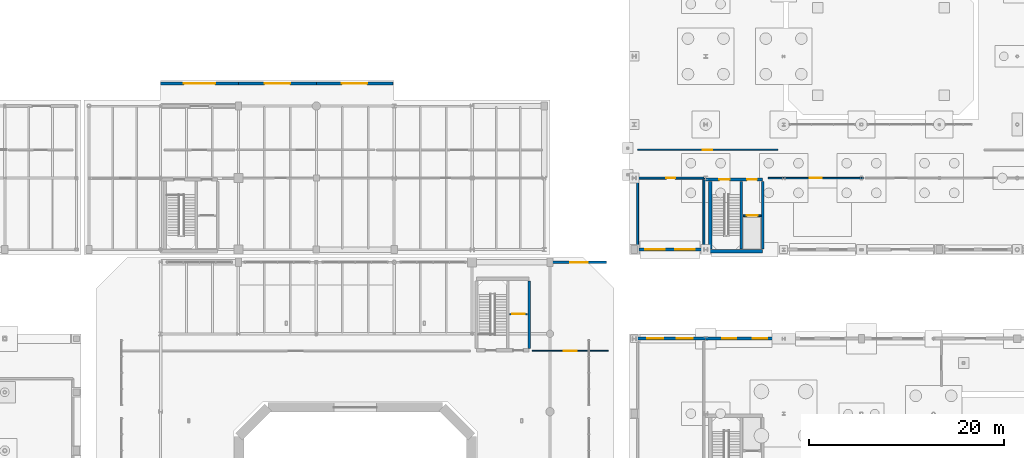
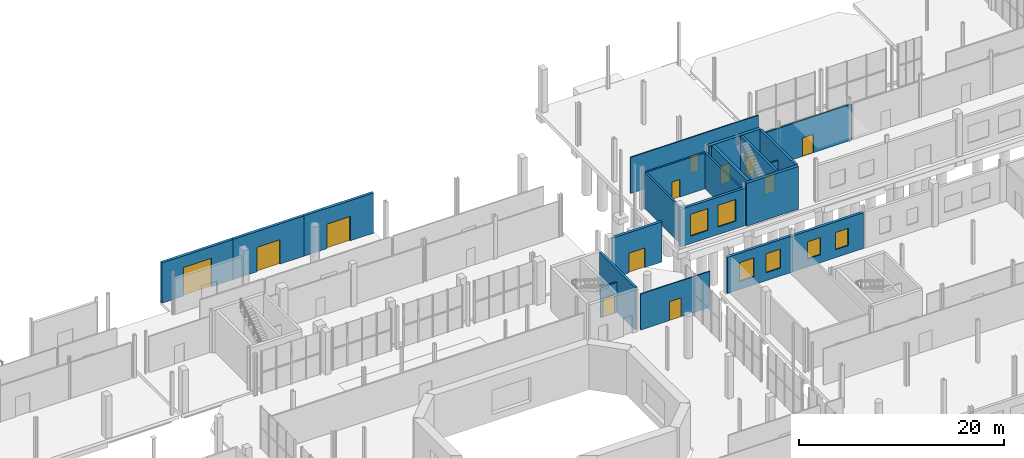
# One storey, part 71 of 87: 21 walls, 12 doors, 6 windows, 18 openings.
"""IFC4 building model written with IfcOpenShell, lengths in metres."""

from ifc_helpers import new_model, si_unit, direction, frame, frame_2d, origin, place, context, subcontext, project, spatial, rectangle, extrude, material, layer, layer_set, type_object, element, fill, save


model = new_model("IFC4")

# Units and contexts
model_context = context("Model", 3, precision=1e-05, world=origin(), true_north=direction((0.0, 1.0)))
body_context = subcontext(model_context, "Body", "Model", "MODEL_VIEW")
ifc_project = project(units=[si_unit("LENGTHUNIT", "METRE"), si_unit("AREAUNIT", "SQUARE_METRE"), si_unit("VOLUMEUNIT", "CUBIC_METRE"), si_unit("PLANEANGLEUNIT", "RADIAN"), si_unit("MASSUNIT", "GRAM", prefix="KILO")], contexts=[model_context])

# Site, building, storey
site_placement = place(None, origin())
site = spatial("IfcSite", under=ifc_project, at=site_placement, CompositionType="ELEMENT")
building_placement = place(site_placement, origin())
building = spatial("IfcBuilding", under=site, at=building_placement, Name="Brisemont Oceanarium", CompositionType="ELEMENT")
storey_placement = place(building_placement, origin())
storey = spatial("IfcBuildingStorey", under=building, at=storey_placement, Name="L00", CompositionType="ELEMENT", Elevation=0.0)

# Wall, openings, windows
ifc_material_1 = material(Name="Sierra Granite Ashlar Backup Concrete C35/45", Category="masonry")
ifc_layer_1 = layer(ifc_material_1, 0.300048828125)
ifc_layer_set_1 = layer_set([ifc_layer_1], Name="Sierra Granite Ashlar Backup Concrete C35/45")
wall_type_1 = type_object("IfcWallType", Name="EW-GRANITE-300", PredefinedType="STANDARD", material=ifc_layer_set_1)
wall_1_placement = place(storey_placement, frame((112.64990234375, 71.5, 0.0), z_axis=(0.0, 0.0, 1.0), x_axis=(1.0, 0.0, 0.0)))
wall_1 = element("IfcWall", 1, at=wall_1_placement, inside=storey, type_object=wall_type_1, Name="Beaux-Arts exterior wall EW-V5EN-L00-1", PredefinedType="STANDARD", context=body_context, shape_type="SweptSolid", body=[
    extrude(rectangle(XDim=7.35009765625, YDim=0.300048828125, at=frame_2d((3.675048828125, 0.0))), origin(), (0.0, 0.0, 1.0), 4.318115234375),
])
opening_1_placement = place(wall_1_placement, frame((1.35009765625, 0.0, 0.949951171875)))
opening_1 = element("IfcOpeningElement", 2, at=opening_1_placement, cuts=wall_1, Name="Opening WIN-20", PredefinedType="OPENING", context=body_context, shape_type="SweptSolid", body=[
    extrude(rectangle(XDim=1.64990234375, YDim=2.25, at=frame_2d((0.824951171875, 1.125))), frame((0.0, 0.159912109375, 0.0), z_axis=(0.0, -1.0, 0.0), x_axis=(1.0, 0.0, 0.0)), (0.0, 0.0, 1.0), 0.320068359375),
])
opening_2_placement = place(wall_1_placement, frame((4.35009765625, 0.0, 0.949951171875)))
opening_2 = element("IfcOpeningElement", 3, at=opening_2_placement, cuts=wall_1, Name="Opening WIN-20", PredefinedType="OPENING", context=body_context, shape_type="SweptSolid", body=[
    extrude(rectangle(XDim=1.64990234375, YDim=2.25, at=frame_2d((0.824951171875, 1.125))), frame((0.0, 0.159912109375, 0.0), z_axis=(0.0, -1.0, 0.0), x_axis=(1.0, 0.0, 0.0)), (0.0, 0.0, 1.0), 0.320068359375),
])
ifc_material_2 = material(Name="Insulated Low-E Laminated Glass", Category="glass")
window_type_1 = type_object("IfcWindowType", Name="WIN-BA-1650X2250", PartitioningType="SINGLE_PANEL", PredefinedType="WINDOW", material=ifc_material_2)
window_1_placement = place(opening_1_placement, origin())
window_1 = element("IfcWindow", 4, at=window_1_placement, inside=storey, type_object=window_type_1, Name="WIN-20 facade window 47", OverallHeight=2.25, OverallWidth=1.64990234375, PartitioningType="SINGLE_PANEL", PredefinedType="WINDOW", context=body_context, shape_type="SweptSolid", body=[
    extrude(rectangle(XDim=1.64990234375, YDim=2.25, at=frame_2d((0.824951171875, 1.125))), frame((0.0, 0.030029296875, 0.0), z_axis=(0.0, -1.0, 0.0), x_axis=(1.0, 0.0, 0.0)), (0.0, 0.0, 1.0), 0.06005859375),
])
fill(opening_1, window_1)
window_2_placement = place(opening_2_placement, origin())
window_2 = element("IfcWindow", 5, at=window_2_placement, inside=storey, type_object=window_type_1, Name="WIN-20 facade window 48", OverallHeight=2.25, OverallWidth=1.64990234375, PartitioningType="SINGLE_PANEL", PredefinedType="WINDOW", context=body_context, shape_type="SweptSolid", body=[
    extrude(rectangle(XDim=1.64990234375, YDim=2.25, at=frame_2d((0.824951171875, 1.125))), frame((0.0, 0.030029296875, 0.0), z_axis=(0.0, -1.0, 0.0), x_axis=(1.0, 0.0, 0.0)), (0.0, 0.0, 1.0), 0.06005859375),
])
fill(opening_2, window_2)

wall_2_placement = place(storey_placement, frame((120.0, 71.5, 0.0), z_axis=(0.0, 0.0, 1.0), x_axis=(1.0, 0.0, 0.0)))
wall_2 = element("IfcWall", 6, at=wall_2_placement, inside=storey, type_object=wall_type_1, Name="Beaux-Arts exterior wall EW-V5EN-L00-2", PredefinedType="STANDARD", context=body_context, shape_type="SweptSolid", body=[
    extrude(rectangle(XDim=8.0, YDim=0.300048828125, at=frame_2d((4.0, 0.0))), origin(), (0.0, 0.0, 1.0), 4.280029296875),
])
opening_3_placement = place(wall_2_placement, frame((1.699951171875, 0.0, 0.949951171875)))
opening_3 = element("IfcOpeningElement", 7, at=opening_3_placement, cuts=wall_2, Name="Opening WIN-22", PredefinedType="OPENING", context=body_context, shape_type="SweptSolid", body=[
    extrude(rectangle(XDim=1.449951171875, YDim=2.050048828125, at=frame_2d((0.72509765625, 1.02490234375))), frame((0.0, 0.159912109375, 0.0), z_axis=(0.0, -1.0, 0.0), x_axis=(1.0, 0.0, 0.0)), (0.0, 0.0, 1.0), 0.320068359375),
])
opening_4_placement = place(wall_2_placement, frame((4.85009765625, 0.0, 0.949951171875)))
opening_4 = element("IfcOpeningElement", 8, at=opening_4_placement, cuts=wall_2, Name="Opening WIN-22", PredefinedType="OPENING", context=body_context, shape_type="SweptSolid", body=[
    extrude(rectangle(XDim=1.449951171875, YDim=2.050048828125, at=frame_2d((0.72509765625, 1.02490234375))), frame((0.0, 0.159912109375, 0.0), z_axis=(0.0, -1.0, 0.0), x_axis=(1.0, 0.0, 0.0)), (0.0, 0.0, 1.0), 0.320068359375),
])
ifc_material_3 = material(Name="Insulated Low-E Laminated Glass", Category="glass")
window_type_2 = type_object("IfcWindowType", Name="WIN-BA-1450X2050", PartitioningType="SINGLE_PANEL", PredefinedType="WINDOW", material=ifc_material_3)
window_3_placement = place(opening_3_placement, origin())
window_3 = element("IfcWindow", 9, at=window_3_placement, inside=storey, type_object=window_type_2, Name="WIN-22 facade window 49", OverallHeight=2.050048828125, OverallWidth=1.449951171875, PartitioningType="SINGLE_PANEL", PredefinedType="WINDOW", context=body_context, shape_type="SweptSolid", body=[
    extrude(rectangle(XDim=1.449951171875, YDim=2.050048828125, at=frame_2d((0.72509765625, 1.02490234375))), frame((0.0, 0.030029296875, 0.0), z_axis=(0.0, -1.0, 0.0), x_axis=(1.0, 0.0, 0.0)), (0.0, 0.0, 1.0), 0.06005859375),
])
fill(opening_3, window_3)
window_4_placement = place(opening_4_placement, origin())
window_4 = element("IfcWindow", 10, at=window_4_placement, inside=storey, type_object=window_type_2, Name="WIN-22 facade window 50", OverallHeight=2.050048828125, OverallWidth=1.449951171875, PartitioningType="SINGLE_PANEL", PredefinedType="WINDOW", context=body_context, shape_type="SweptSolid", body=[
    extrude(rectangle(XDim=1.449951171875, YDim=2.050048828125, at=frame_2d((0.72509765625, 1.02490234375))), frame((0.0, 0.030029296875, 0.0), z_axis=(0.0, -1.0, 0.0), x_axis=(1.0, 0.0, 0.0)), (0.0, 0.0, 1.0), 0.06005859375),
])
fill(opening_4, window_4)

wall_3_placement = place(storey_placement, frame((112.64990234375, 80.64990234375, 0.0), z_axis=(0.0, 0.0, 1.0), x_axis=(1.0, 0.0, 0.0)))
wall_3 = element("IfcWall", 11, at=wall_3_placement, inside=storey, type_object=wall_type_1, Name="Beaux-Arts exterior wall EW-V6S-L00-1", PredefinedType="STANDARD", context=body_context, shape_type="SweptSolid", body=[
    extrude(rectangle(XDim=7.35009765625, YDim=0.300048828125, at=frame_2d((3.675048828125, 0.0))), origin(), (0.0, 0.0, 1.0), 4.468017578125),
])
opening_5_placement = place(wall_3_placement, frame((1.11669921875, 0.0, 0.89990234375)))
opening_5 = element("IfcOpeningElement", 12, at=opening_5_placement, cuts=wall_3, Name="Opening WIN-03", PredefinedType="OPENING", context=body_context, shape_type="SweptSolid", body=[
    extrude(rectangle(XDim=2.0, YDim=2.60009765625, at=frame_2d((1.0, 1.300048828125))), frame((0.0, 0.159912109375, 0.0), z_axis=(0.0, -1.0, 0.0), x_axis=(1.0, 0.0, 0.0)), (0.0, 0.0, 1.0), 0.320068359375),
])
opening_6_placement = place(wall_3_placement, frame((4.2333984375, 0.0, 0.89990234375)))
opening_6 = element("IfcOpeningElement", 13, at=opening_6_placement, cuts=wall_3, Name="Opening WIN-03", PredefinedType="OPENING", context=body_context, shape_type="SweptSolid", body=[
    extrude(rectangle(XDim=2.0, YDim=2.60009765625, at=frame_2d((1.0, 1.300048828125))), frame((0.0, 0.159912109375, 0.0), z_axis=(0.0, -1.0, 0.0), x_axis=(1.0, 0.0, 0.0)), (0.0, 0.0, 1.0), 0.320068359375),
])
ifc_material_4 = material(Name="Insulated Low-E Laminated Glass", Category="glass")
window_type_3 = type_object("IfcWindowType", Name="WIN-BA-2000X2600", PartitioningType="SINGLE_PANEL", PredefinedType="WINDOW", material=ifc_material_4)
window_5_placement = place(opening_5_placement, origin())
window_5 = element("IfcWindow", 14, at=window_5_placement, inside=storey, type_object=window_type_3, Name="WIN-03 facade window 57", OverallHeight=2.60009765625, OverallWidth=2.0, PartitioningType="SINGLE_PANEL", PredefinedType="WINDOW", context=body_context, shape_type="SweptSolid", body=[
    extrude(rectangle(XDim=2.0, YDim=2.60009765625, at=frame_2d((1.0, 1.300048828125))), frame((0.0, 0.030029296875, 0.0), z_axis=(0.0, -1.0, 0.0), x_axis=(1.0, 0.0, 0.0)), (0.0, 0.0, 1.0), 0.06005859375),
])
fill(opening_5, window_5)
window_6_placement = place(opening_6_placement, origin())
window_6 = element("IfcWindow", 15, at=window_6_placement, inside=storey, type_object=window_type_3, Name="WIN-03 facade window 58", OverallHeight=2.60009765625, OverallWidth=2.0, PartitioningType="SINGLE_PANEL", PredefinedType="WINDOW", context=body_context, shape_type="SweptSolid", body=[
    extrude(rectangle(XDim=2.0, YDim=2.60009765625, at=frame_2d((1.0, 1.300048828125))), frame((0.0, 0.030029296875, 0.0), z_axis=(0.0, -1.0, 0.0), x_axis=(1.0, 0.0, 0.0)), (0.0, 0.0, 1.0), 0.06005859375),
])
fill(opening_6, window_6)

# Wall, opening, door
wall_4_placement = place(storey_placement, frame((64.0, 97.699951171875, 0.0), z_axis=(0.0, 0.0, 1.0), x_axis=(1.0, 0.0, 0.0)))
wall_4 = element("IfcWall", 16, at=wall_4_placement, inside=storey, type_object=wall_type_1, Name="Beaux-Arts exterior wall EW-V7EGATE-1", PredefinedType="STANDARD", context=body_context, shape_type="SweptSolid", body=[
    extrude(rectangle(XDim=8.0, YDim=0.300048828125, at=frame_2d((4.0, 0.0))), origin(), (0.0, 0.0, 1.0), 4.800048828125),
])
opening_7_placement = place(wall_4_placement, frame((2.39990234375, 0.0, 0.0)))
opening_7 = element("IfcOpeningElement", 17, at=opening_7_placement, cuts=wall_4, Name="Opening EX-G2", PredefinedType="OPENING", context=body_context, shape_type="SweptSolid", body=[
    extrude(rectangle(XDim=3.199951171875, YDim=3.39990234375, at=frame_2d((1.60009765625, 1.699951171875))), frame((0.0, 0.159912109375, 0.0), z_axis=(0.0, -1.0, 0.0), x_axis=(1.0, 0.0, 0.0)), (0.0, 0.0, 1.0), 0.320068359375),
])
ifc_material_5 = material(Name="Duplex Stainless Steel EN 1.4462", Category="steel")
door_type_1 = type_object("IfcDoorType", Name="DR-GATE-3200X3400", OperationType="NOTDEFINED", PredefinedType="GATE", material=ifc_material_5)
door_1_placement = place(opening_7_placement, origin())
door_1 = element("IfcDoor", 18, at=door_1_placement, inside=storey, type_object=door_type_1, Name="EX-G2 exterior entrance door 15", OperationType="DOUBLE_DOOR_SLIDING", OverallHeight=3.39990234375, OverallWidth=3.199951171875, PredefinedType="GATE", context=body_context, shape_type="SweptSolid", body=[
    extrude(rectangle(XDim=3.199951171875, YDim=3.39990234375, at=frame_2d((1.60009765625, 1.699951171875))), frame((0.0, 0.02490234375, 0.0), z_axis=(0.0, -1.0, 0.0), x_axis=(1.0, 0.0, 0.0)), (0.0, 0.0, 1.0), 0.050048828125),
])
fill(opening_7, door_1)

wall_5_placement = place(storey_placement, frame((72.0, 97.699951171875, 0.0), z_axis=(0.0, 0.0, 1.0), x_axis=(1.0, 0.0, 0.0)))
wall_5 = element("IfcWall", 19, at=wall_5_placement, inside=storey, type_object=wall_type_1, Name="Beaux-Arts exterior wall EW-V7EGATE-2", PredefinedType="STANDARD", context=body_context, shape_type="SweptSolid", body=[
    extrude(rectangle(XDim=8.0, YDim=0.300048828125, at=frame_2d((4.0, 0.0))), origin(), (0.0, 0.0, 1.0), 4.800048828125),
])
opening_8_placement = place(wall_5_placement, frame((2.699951171875, 0.0, 0.0)))
opening_8 = element("IfcOpeningElement", 20, at=opening_8_placement, cuts=wall_5, Name="Opening EX-G3", PredefinedType="OPENING", context=body_context, shape_type="SweptSolid", body=[
    extrude(rectangle(XDim=2.60009765625, YDim=2.89990234375, at=frame_2d((1.300048828125, 1.449951171875))), frame((0.0, 0.159912109375, 0.0), z_axis=(0.0, -1.0, 0.0), x_axis=(1.0, 0.0, 0.0)), (0.0, 0.0, 1.0), 0.320068359375),
])
ifc_material_6 = material(Name="Duplex Stainless Steel EN 1.4462", Category="steel")
door_type_2 = type_object("IfcDoorType", Name="DR-GATE-2600X2900", OperationType="NOTDEFINED", PredefinedType="GATE", material=ifc_material_6)
door_2_placement = place(opening_8_placement, origin())
door_2 = element("IfcDoor", 21, at=door_2_placement, inside=storey, type_object=door_type_2, Name="EX-G3 exterior entrance door 16", OperationType="DOUBLE_DOOR_SLIDING", OverallHeight=2.89990234375, OverallWidth=2.60009765625, PredefinedType="GATE", context=body_context, shape_type="SweptSolid", body=[
    extrude(rectangle(XDim=2.60009765625, YDim=2.89990234375, at=frame_2d((1.300048828125, 1.449951171875))), frame((0.0, 0.02490234375, 0.0), z_axis=(0.0, -1.0, 0.0), x_axis=(1.0, 0.0, 0.0)), (0.0, 0.0, 1.0), 0.050048828125),
])
fill(opening_8, door_2)

wall_6_placement = place(storey_placement, frame((80.0, 97.699951171875, 0.0), z_axis=(0.0, 0.0, 1.0), x_axis=(1.0, 0.0, 0.0)))
wall_6 = element("IfcWall", 22, at=wall_6_placement, inside=storey, type_object=wall_type_1, Name="Beaux-Arts exterior wall EW-V7EGATE-3", PredefinedType="STANDARD", context=body_context, shape_type="SweptSolid", body=[
    extrude(rectangle(XDim=7.860107421875, YDim=0.300048828125, at=frame_2d((3.93017578125, 0.0))), origin(), (0.0, 0.0, 1.0), 4.800048828125),
])
opening_9_placement = place(wall_6_placement, frame((2.6298828125, 0.0, 0.0)))
opening_9 = element("IfcOpeningElement", 23, at=opening_9_placement, cuts=wall_6, Name="Opening EX-G3", PredefinedType="OPENING", context=body_context, shape_type="SweptSolid", body=[
    extrude(rectangle(XDim=2.60009765625, YDim=2.89990234375, at=frame_2d((1.300048828125, 1.449951171875))), frame((0.0, 0.159912109375, 0.0), z_axis=(0.0, -1.0, 0.0), x_axis=(1.0, 0.0, 0.0)), (0.0, 0.0, 1.0), 0.320068359375),
])
door_3_placement = place(opening_9_placement, origin())
door_3 = element("IfcDoor", 24, at=door_3_placement, inside=storey, type_object=door_type_2, Name="EX-G3 exterior entrance door 17", OperationType="DOUBLE_DOOR_SLIDING", OverallHeight=2.89990234375, OverallWidth=2.60009765625, PredefinedType="GATE", context=body_context, shape_type="SweptSolid", body=[
    extrude(rectangle(XDim=2.60009765625, YDim=2.89990234375, at=frame_2d((1.300048828125, 1.449951171875))), frame((0.0, 0.02490234375, 0.0), z_axis=(0.0, -1.0, 0.0), x_axis=(1.0, 0.0, 0.0)), (0.0, 0.0, 1.0), 0.050048828125),
])
fill(opening_9, door_3)

wall_7_placement = place(storey_placement, frame((104.199951171875, 79.35009765625, 0.0), z_axis=(0.0, 0.0, 1.0), x_axis=(1.0, 0.0, 0.0)))
wall_7 = element("IfcWall", 25, at=wall_7_placement, inside=storey, type_object=wall_type_1, Name="Beaux-Arts exterior wall EW-C2-EXIT", PredefinedType="STANDARD", context=body_context, shape_type="SweptSolid", body=[
    extrude(rectangle(XDim=5.60009765625, YDim=0.300048828125, at=frame_2d((2.800048828125, 0.0))), origin(), (0.0, 0.0, 1.0), 4.800048828125),
])
opening_10_placement = place(wall_7_placement, frame((1.89990234375, 0.0, 0.0)))
opening_10 = element("IfcOpeningElement", 26, at=opening_10_placement, cuts=wall_7, Name="Opening EX-03", PredefinedType="OPENING", context=body_context, shape_type="SweptSolid", body=[
    extrude(rectangle(XDim=1.800048828125, YDim=2.35009765625, at=frame_2d((0.89990234375, 1.175048828125))), frame((0.0, 0.159912109375, 0.0), z_axis=(0.0, -1.0, 0.0), x_axis=(1.0, 0.0, 0.0)), (0.0, 0.0, 1.0), 0.320068359375),
])
ifc_material_7 = material(Name="Patinated Architectural Bronze C38500")
door_type_3 = type_object("IfcDoorType", Name="DR-EXT-1800X2350", OperationType="NOTDEFINED", PredefinedType="DOOR", material=ifc_material_7)
door_4_placement = place(opening_10_placement, origin())
door_4 = element("IfcDoor", 27, at=door_4_placement, inside=storey, type_object=door_type_3, Name="EX-03 exterior entrance door 23", OperationType="SINGLE_SWING_RIGHT", OverallHeight=2.35009765625, OverallWidth=1.800048828125, PredefinedType="DOOR", context=body_context, shape_type="SweptSolid", body=[
    extrude(rectangle(XDim=1.800048828125, YDim=2.35009765625, at=frame_2d((0.89990234375, 1.175048828125))), frame((0.0, 0.02490234375, 0.0), z_axis=(0.0, -1.0, 0.0), x_axis=(1.0, 0.0, 0.0)), (0.0, 0.0, 1.0), 0.050048828125),
])
fill(opening_10, door_4)

ifc_material_8 = material(Name="Moisture-Resistant Gypsum Steel-Stud Partition", Category="steel")
ifc_layer_2 = layer(ifc_material_8, 0.159912109375)
ifc_layer_set_2 = layer_set([ifc_layer_2], Name="Moisture-Resistant Gypsum Steel-Stud Partition")
wall_type_2 = type_object("IfcWallType", Name="IW-FB-160", PredefinedType="PARTITIONING", material=ifc_layer_set_2)
wall_8_placement = place(storey_placement, frame((99.85009765625, 74.02001953125, 0.0), z_axis=(0.0, 0.0, 1.0), x_axis=(1.0, 0.0, 0.0)))
wall_8 = element("IfcWall", 28, at=wall_8_placement, inside=storey, type_object=wall_type_2, Name="Core C2 L00 lift hoistway front wall", PredefinedType="PARTITIONING", context=body_context, shape_type="SweptSolid", body=[
    extrude(rectangle(XDim=1.83984375, YDim=0.159912109375, at=frame_2d((0.919921875, 0.0))), origin(), (0.0, 0.0, 1.0), 3.60009765625),
])
opening_11_placement = place(wall_8_placement, frame((0.27001953125, 0.0, 0.0)))
opening_11 = element("IfcOpeningElement", 29, at=opening_11_placement, cuts=wall_8, Name="Opening LD-02", PredefinedType="OPENING", context=body_context, shape_type="SweptSolid", body=[
    extrude(rectangle(XDim=1.300048828125, YDim=2.199951171875, at=frame_2d((0.64990234375, 1.10009765625))), frame((0.0, 0.08984375, 0.0), z_axis=(0.0, -1.0, 0.0), x_axis=(1.0, 0.0, 0.0)), (0.0, 0.0, 1.0), 0.179931640625),
])
ifc_material_9 = material(Name="Duplex Stainless Steel EN 1.4462", Category="steel")
door_type_4 = type_object("IfcDoorType", Name="DR-LIFT-1300X2200", OperationType="NOTDEFINED", PredefinedType="DOOR", material=ifc_material_9)
door_5_placement = place(opening_11_placement, origin())
door_5 = element("IfcDoor", 30, at=door_5_placement, inside=storey, type_object=door_type_4, Name="Lift landing door LF-02 L00", OperationType="SLIDING_TO_LEFT", OverallHeight=2.199951171875, OverallWidth=1.300048828125, PredefinedType="DOOR", context=body_context, shape_type="SweptSolid", body=[
    extrude(rectangle(XDim=1.300048828125, YDim=2.199951171875, at=frame_2d((0.64990234375, 1.10009765625))), frame((0.0, 0.02490234375, 0.0), z_axis=(0.0, -1.0, 0.0), x_axis=(1.0, 0.0, 0.0)), (0.0, 0.0, 1.0), 0.050048828125),
])
fill(opening_11, door_5)

wall_9_placement = place(storey_placement, frame((123.85009765625, 84.1298828125, 0.0), z_axis=(0.0, 0.0, 1.0), x_axis=(1.0, 0.0, 0.0)))
wall_9 = element("IfcWall", 31, at=wall_9_placement, inside=storey, type_object=wall_type_2, Name="Core C7 L00 lift hoistway front wall", PredefinedType="PARTITIONING", context=body_context, shape_type="SweptSolid", body=[
    extrude(rectangle(XDim=1.83984375, YDim=0.159912109375, at=frame_2d((0.919921875, 0.0))), origin(), (0.0, 0.0, 1.0), 3.60009765625),
])
opening_12_placement = place(wall_9_placement, frame((0.3701171875, 0.0, 0.0)))
opening_12 = element("IfcOpeningElement", 32, at=opening_12_placement, cuts=wall_9, Name="Opening LD-01", PredefinedType="OPENING", context=body_context, shape_type="SweptSolid", body=[
    extrude(rectangle(XDim=1.10009765625, YDim=2.14990234375, at=frame_2d((0.550048828125, 1.074951171875))), frame((0.0, 0.08984375, 0.0), z_axis=(0.0, -1.0, 0.0), x_axis=(1.0, 0.0, 0.0)), (0.0, 0.0, 1.0), 0.179931640625),
])
ifc_material_10 = material(Name="Duplex Stainless Steel EN 1.4462", Category="steel")
door_type_5 = type_object("IfcDoorType", Name="DR-LIFT-1100X2150", OperationType="NOTDEFINED", PredefinedType="DOOR", material=ifc_material_10)
door_6_placement = place(opening_12_placement, origin())
door_6 = element("IfcDoor", 33, at=door_6_placement, inside=storey, type_object=door_type_5, Name="Lift landing door LF-07 L00", OperationType="SLIDING_TO_LEFT", OverallHeight=2.14990234375, OverallWidth=1.10009765625, PredefinedType="DOOR", context=body_context, shape_type="SweptSolid", body=[
    extrude(rectangle(XDim=1.10009765625, YDim=2.14990234375, at=frame_2d((0.550048828125, 1.074951171875))), frame((0.0, 0.02490234375, 0.0), z_axis=(0.0, -1.0, 0.0), x_axis=(1.0, 0.0, 0.0)), (0.0, 0.0, 1.0), 0.050048828125),
])
fill(opening_12, door_6)

wall_10_placement = place(storey_placement, frame((126.39990234375, 88.0, 0.0), z_axis=(0.0, 0.0, 1.0), x_axis=(1.0, 0.0, 0.0)))
wall_10 = element("IfcWall", 34, at=wall_10_placement, inside=storey, type_object=wall_type_2, Name="Veterinary Surgical Suite and CT Clinic corridor partition", PredefinedType="PARTITIONING", context=body_context, shape_type="SweptSolid", body=[
    extrude(rectangle(XDim=9.800048828125, YDim=0.159912109375, at=frame_2d((4.89990234375, 0.0))), origin(), (0.0, 0.0, 1.0), 4.2900390625),
])
opening_13_placement = place(wall_10_placement, frame((4.27490234375, 0.0, 0.0)))
opening_13 = element("IfcOpeningElement", 35, at=opening_13_placement, cuts=wall_10, Name="Opening LB-02", PredefinedType="OPENING", context=body_context, shape_type="SweptSolid", body=[
    extrude(rectangle(XDim=1.25, YDim=2.199951171875, at=frame_2d((0.625, 1.10009765625))), frame((0.0, 0.08984375, 0.0), z_axis=(0.0, -1.0, 0.0), x_axis=(1.0, 0.0, 0.0)), (0.0, 0.0, 1.0), 0.179931640625),
])
ifc_material_11 = material(Name="Duplex Stainless Steel EN 1.4462", Category="steel")
door_type_6 = type_object("IfcDoorType", Name="DR-LAB-1250X2200", OperationType="NOTDEFINED", PredefinedType="DOOR", material=ifc_material_11)
door_7_placement = place(opening_13_placement, origin())
door_7 = element("IfcDoor", 36, at=door_7_placement, inside=storey, type_object=door_type_6, Name="LB-02 door to Veterinary Surgical Suite and CT Clinic", OperationType="SINGLE_SWING_LEFT", OverallHeight=2.199951171875, OverallWidth=1.25, PredefinedType="DOOR", context=body_context, shape_type="SweptSolid", body=[
    extrude(rectangle(XDim=1.25, YDim=2.199951171875, at=frame_2d((0.625, 1.10009765625))), frame((0.0, 0.02490234375, 0.0), z_axis=(0.0, -1.0, 0.0), x_axis=(1.0, 0.0, 0.0)), (0.0, 0.0, 1.0), 0.050048828125),
])
fill(opening_13, door_7)

ifc_material_12 = material(Name="Moisture-Resistant Gypsum Steel-Stud Partition", Category="steel")
ifc_layer_3 = layer(ifc_material_12, 0.1201171875)
ifc_layer_set_3 = layer_set([ifc_layer_3], Name="Moisture-Resistant Gypsum Steel-Stud Partition")
wall_type_3 = type_object("IfcWallType", Name="IW-PART-120", PredefinedType="PARTITIONING", material=ifc_layer_set_3)
wall_11_placement = place(storey_placement, frame((102.199951171875, 70.25, 0.0), z_axis=(0.0, 0.0, 1.0), x_axis=(1.0, 0.0, 0.0)))
wall_11 = element("IfcWall", 37, at=wall_11_placement, inside=storey, type_object=wall_type_3, Name="C2 Protected Exit Passageway corridor partition", PredefinedType="PARTITIONING", context=body_context, shape_type="SweptSolid", body=[
    extrude(rectangle(XDim=7.800048828125, YDim=0.1201171875, at=frame_2d((3.89990234375, 0.0))), origin(), (0.0, 0.0, 1.0), 4.2900390625),
])
opening_14_placement = place(wall_11_placement, frame((3.22509765625, 0.0, 0.0)))
opening_14 = element("IfcOpeningElement", 38, at=opening_14_placement, cuts=wall_11, Name="Opening LB-01", PredefinedType="OPENING", context=body_context, shape_type="SweptSolid", body=[
    extrude(rectangle(XDim=1.35009765625, YDim=2.25, at=frame_2d((0.675048828125, 1.125))), frame((0.0, 0.070068359375, 0.0), z_axis=(0.0, -1.0, 0.0), x_axis=(1.0, 0.0, 0.0)), (0.0, 0.0, 1.0), 0.14013671875),
])
ifc_material_13 = material(Name="Duplex Stainless Steel EN 1.4462", Category="steel")
door_type_7 = type_object("IfcDoorType", Name="DR-LAB-1350X2250", OperationType="NOTDEFINED", PredefinedType="DOOR", material=ifc_material_13)
door_8_placement = place(opening_14_placement, origin())
door_8 = element("IfcDoor", 39, at=door_8_placement, inside=storey, type_object=door_type_7, Name="LB-01 door to C2 Protected Exit Passageway", OperationType="SINGLE_SWING_LEFT", OverallHeight=2.25, OverallWidth=1.35009765625, PredefinedType="DOOR", context=body_context, shape_type="SweptSolid", body=[
    extrude(rectangle(XDim=1.35009765625, YDim=2.25, at=frame_2d((0.675048828125, 1.125))), frame((0.0, 0.02490234375, 0.0), z_axis=(0.0, -1.0, 0.0), x_axis=(1.0, 0.0, 0.0)), (0.0, 0.0, 1.0), 0.050048828125),
])
fill(opening_14, door_8)

wall_12_placement = place(storey_placement, frame((113.0, 90.89990234375, 0.0), z_axis=(0.0, 0.0, 1.0), x_axis=(1.0, 0.0, 0.0)))
wall_12 = element("IfcWall", 40, at=wall_12_placement, inside=storey, type_object=wall_type_3, Name="Seawater Analytical Chemistry Laboratory corridor partition", PredefinedType="PARTITIONING", context=body_context, shape_type="SweptSolid", body=[
    extrude(rectangle(XDim=14.39990234375, YDim=0.1201171875, at=frame_2d((7.199951171875, 0.0))), origin(), (0.0, 0.0, 1.0), 4.2900390625),
])
opening_15_placement = place(wall_12_placement, frame((6.719970703125, 0.0, 0.0)))
opening_15 = element("IfcOpeningElement", 41, at=opening_15_placement, cuts=wall_12, Name="Opening D-02", PredefinedType="OPENING", context=body_context, shape_type="SweptSolid", body=[
    extrude(rectangle(XDim=0.9599609375, YDim=2.10009765625, at=frame_2d((0.47998046875, 1.050048828125))), frame((0.0, 0.070068359375, 0.0), z_axis=(0.0, -1.0, 0.0), x_axis=(1.0, 0.0, 0.0)), (0.0, 0.0, 1.0), 0.14013671875),
])
ifc_material_14 = material(Name="FSC White Oak Solid-Core Fire Door")
door_type_8 = type_object("IfcDoorType", Name="DR-RM-960X2100", OperationType="NOTDEFINED", PredefinedType="DOOR", material=ifc_material_14)
door_9_placement = place(opening_15_placement, origin())
door_9 = element("IfcDoor", 42, at=door_9_placement, inside=storey, type_object=door_type_8, Name="D-02 door to Seawater Analytical Chemistry Laboratory", OperationType="SINGLE_SWING_RIGHT", OverallHeight=2.10009765625, OverallWidth=0.9599609375, PredefinedType="DOOR", context=body_context, shape_type="SweptSolid", body=[
    extrude(rectangle(XDim=0.9599609375, YDim=2.10009765625, at=frame_2d((0.47998046875, 1.050048828125))), frame((0.0, 0.02490234375, 0.0), z_axis=(0.0, -1.0, 0.0), x_axis=(1.0, 0.0, 0.0)), (0.0, 0.0, 1.0), 0.050048828125),
])
fill(opening_15, door_9)

ifc_material_15 = material(Name="Cementitious Tile-Backer Plumbing Wall")
ifc_layer_4 = layer(ifc_material_15, 0.199951171875)
ifc_layer_set_4 = layer_set([ifc_layer_4], Name="Cementitious Tile-Backer Plumbing Wall")
wall_type_4 = type_object("IfcWallType", Name="IW-PLUMB-200", PredefinedType="PLUMBINGWALL", material=ifc_layer_set_4)
wall_13_placement = place(storey_placement, frame((113.0, 88.0, 0.0), z_axis=(0.0, 0.0, 1.0), x_axis=(1.0, 0.0, 0.0)))
wall_13 = element("IfcWall", 43, at=wall_13_placement, inside=storey, type_object=wall_type_4, Name="Accessible WC corridor partition", PredefinedType="PLUMBINGWALL", context=body_context, shape_type="SweptSolid", body=[
    extrude(rectangle(XDim=6.800048828125, YDim=0.199951171875, at=frame_2d((3.39990234375, 0.0))), origin(), (0.0, 0.0, 1.0), 4.2900390625),
])
opening_16_placement = place(wall_13_placement, frame((2.945068359375, 0.0, 0.0)))
opening_16 = element("IfcOpeningElement", 44, at=opening_16_placement, cuts=wall_13, Name="Opening D-03", PredefinedType="OPENING", context=body_context, shape_type="SweptSolid", body=[
    extrude(rectangle(XDim=0.909912109375, YDim=2.10009765625, at=frame_2d((0.455078125, 1.050048828125))), frame((0.0, 0.10986328125, 0.0), z_axis=(0.0, -1.0, 0.0), x_axis=(1.0, 0.0, 0.0)), (0.0, 0.0, 1.0), 0.219970703125),
])
ifc_material_16 = material(Name="FSC White Oak Solid-Core Fire Door")
door_type_9 = type_object("IfcDoorType", Name="DR-WC-910X2100", OperationType="NOTDEFINED", PredefinedType="DOOR", material=ifc_material_16)
door_10_placement = place(opening_16_placement, origin())
door_10 = element("IfcDoor", 45, at=door_10_placement, inside=storey, type_object=door_type_9, Name="D-03 door to Accessible WC", OperationType="SINGLE_SWING_RIGHT", OverallHeight=2.10009765625, OverallWidth=0.909912109375, PredefinedType="DOOR", context=body_context, shape_type="SweptSolid", body=[
    extrude(rectangle(XDim=0.909912109375, YDim=2.10009765625, at=frame_2d((0.455078125, 1.050048828125))), frame((0.0, 0.02490234375, 0.0), z_axis=(0.0, -1.0, 0.0), x_axis=(1.0, 0.0, 0.0)), (0.0, 0.0, 1.0), 0.050048828125),
])
fill(opening_16, door_10)

# Walls
for number, where, z_axis, x_axis, name in (
    (46, (113.0, 80.64990234375, 0.0), (0.0, 0.0, 1.0), (0.0, 1.0, 0.0), "Accessible WC enclosure wall W"),
    (47, (119.800048828125, 80.64990234375, 0.0), (0.0, 0.0, 1.0), (0.0, 1.0, 0.0), "Accessible WC enclosure wall E"),
):
    element("IfcWall", number, at=place(storey_placement, frame(where, z_axis=z_axis, x_axis=x_axis)), inside=storey, type_object=wall_type_4, Name=name, PredefinedType="PLUMBINGWALL", context=body_context, shape_type="SweptSolid", body=[
        extrude(rectangle(XDim=7.35009765625, YDim=0.199951171875, at=frame_2d((3.675048828125, 0.0))), origin(), (0.0, 0.0, 1.0), 4.2900390625),
    ])
ifc_material_17 = material(Name="Concrete C40/50", Category="concrete")
ifc_layer_5 = layer(ifc_material_17, 0.260009765625)
ifc_layer_set_5 = layer_set([ifc_layer_5], Name="Concrete C40/50")
wall_type_5 = type_object("IfcWallType", Name="SW-SHAFT-260", PredefinedType="SHEAR", material=ifc_layer_set_5)
wall_14_placement = place(storey_placement, frame((101.85009765625, 70.5, 0.0), z_axis=(0.0, 0.0, 1.0), x_axis=(0.0, 1.0, 0.0)))
element("IfcWall", 48, at=wall_14_placement, inside=storey, type_object=wall_type_5, Name="Core C2 L00 E RC shear wall", PredefinedType="SHEAR", context=body_context, shape_type="SweptSolid", body=[
    extrude(rectangle(XDim=6.949951171875, YDim=0.260009765625, at=frame_2d((3.47509765625, 0.0))), origin(), (0.0, 0.0, 1.0), 5.070068359375),
])
for number, where, z_axis, x_axis, name in (
    (49, (125.85009765625, 80.699951171875, 0.0), (0.0, 0.0, 1.0), (0.0, 1.0, 0.0), "Core C7 L00 E RC shear wall"),
    (50, (123.669921875, 80.699951171875, 0.0), (0.0, 0.0, 1.0), (0.0, 1.0, 0.0), "Core C7 L00 MID RC shear wall"),
):
    element("IfcWall", number, at=place(storey_placement, frame(where, z_axis=z_axis, x_axis=x_axis)), inside=storey, type_object=wall_type_5, Name=name, PredefinedType="SHEAR", context=body_context, shape_type="SweptSolid", body=[
        extrude(rectangle(XDim=6.949951171875, YDim=0.260009765625, at=frame_2d((3.47509765625, 0.0))), origin(), (0.0, 0.0, 1.0), 5.110107421875),
    ])

# Wall, openings, doors
ifc_material_18 = material(Name="Concrete C40/50", Category="concrete")
ifc_layer_6 = layer(ifc_material_18, 0.35009765625)
ifc_layer_set_6 = layer_set([ifc_layer_6], Name="Concrete C40/50")
wall_type_6 = type_object("IfcWallType", Name="SW-STAIR-350", PredefinedType="SHEAR", material=ifc_layer_set_6)
wall_15_placement = place(storey_placement, frame((120.0, 87.85009765625, 0.0), z_axis=(0.0, 0.0, 1.0), x_axis=(1.0, 0.0, 0.0)))
wall_15 = element("IfcWall", 51, at=wall_15_placement, inside=storey, type_object=wall_type_6, Name="Core C7 L00 corridor RC shear wall", PredefinedType="SHEAR", context=body_context, shape_type="SweptSolid", body=[
    extrude(rectangle(XDim=5.85009765625, YDim=0.35009765625, at=frame_2d((2.925048828125, 0.0))), origin(), (0.0, 0.0, 1.0), 5.110107421875),
])
opening_17_placement = place(wall_15_placement, frame((1.39990234375, 0.0, 0.0)))
opening_17 = element("IfcOpeningElement", 52, at=opening_17_placement, cuts=wall_15, Name="Opening SD-02", PredefinedType="OPENING", context=body_context, shape_type="SweptSolid", body=[
    extrude(rectangle(XDim=1.050048828125, YDim=2.10009765625, at=frame_2d((0.52490234375, 1.050048828125))), frame((0.0, 0.18505859375, 0.0), z_axis=(0.0, -1.0, 0.0), x_axis=(1.0, 0.0, 0.0)), (0.0, 0.0, 1.0), 0.3701171875),
])
opening_18_placement = place(wall_15_placement, frame((4.25, 0.0, 0.0)))
opening_18 = element("IfcOpeningElement", 53, at=opening_18_placement, cuts=wall_15, Name="Opening FD90-2", PredefinedType="OPENING", context=body_context, shape_type="SweptSolid", body=[
    extrude(rectangle(XDim=1.0, YDim=2.14990234375, at=frame_2d((0.5, 1.074951171875))), frame((0.0, 0.18505859375, 0.0), z_axis=(0.0, -1.0, 0.0), x_axis=(1.0, 0.0, 0.0)), (0.0, 0.0, 1.0), 0.3701171875),
])
ifc_material_19 = material(Name="FSC White Oak Solid-Core Fire Door")
door_type_10 = type_object("IfcDoorType", Name="DR-LOB-1000X2150", OperationType="NOTDEFINED", PredefinedType="DOOR", material=ifc_material_19)
door_11_placement = place(opening_18_placement, origin())
door_11 = element("IfcDoor", 54, at=door_11_placement, inside=storey, type_object=door_type_10, Name="Lift lobby door C7 L00", OperationType="SINGLE_SWING_RIGHT", OverallHeight=2.14990234375, OverallWidth=1.0, PredefinedType="DOOR", context=body_context, shape_type="SweptSolid", body=[
    extrude(rectangle(XDim=1.0, YDim=2.14990234375, at=frame_2d((0.5, 1.074951171875))), frame((0.0, 0.02490234375, 0.0), z_axis=(0.0, -1.0, 0.0), x_axis=(1.0, 0.0, 0.0)), (0.0, 0.0, 1.0), 0.050048828125),
])
fill(opening_18, door_11)
ifc_material_20 = material(Name="Duplex Stainless Steel EN 1.4462", Category="steel")
door_type_11 = type_object("IfcDoorType", Name="DR-STAIR-1050X2100", OperationType="NOTDEFINED", PredefinedType="DOOR", material=ifc_material_20)
door_12_placement = place(opening_17_placement, origin())
door_12 = element("IfcDoor", 55, at=door_12_placement, inside=storey, type_object=door_type_11, Name="Exit stair door ST-07 L00", OperationType="SINGLE_SWING_LEFT", OverallHeight=2.10009765625, OverallWidth=1.050048828125, PredefinedType="DOOR", context=body_context, shape_type="SweptSolid", body=[
    extrude(rectangle(XDim=1.050048828125, YDim=2.10009765625, at=frame_2d((0.52490234375, 1.050048828125))), frame((0.0, 0.02490234375, 0.0), z_axis=(0.0, -1.0, 0.0), x_axis=(1.0, 0.0, 0.0)), (0.0, 0.0, 1.0), 0.050048828125),
])
fill(opening_17, door_12)

# Walls
wall_16_placement = place(storey_placement, frame((120.0, 80.5, 0.0), z_axis=(0.0, 0.0, 1.0), x_axis=(1.0, 0.0, 0.0)))
element("IfcWall", 56, at=wall_16_placement, inside=storey, type_object=wall_type_6, Name="Core C7 L00 BCK RC shear wall", PredefinedType="SHEAR", context=body_context, shape_type="SweptSolid", body=[
    extrude(rectangle(XDim=5.85009765625, YDim=0.35009765625, at=frame_2d((2.925048828125, 0.0))), origin(), (0.0, 0.0, 1.0), 5.110107421875),
])
wall_17_placement = place(storey_placement, frame((120.449951171875, 80.699951171875, 0.0), z_axis=(0.0, 0.0, 1.0), x_axis=(0.0, 1.0, 0.0)))
element("IfcWall", 57, at=wall_17_placement, inside=storey, type_object=wall_type_6, Name="Core C7 L00 W RC shear wall", PredefinedType="SHEAR", context=body_context, shape_type="SweptSolid", body=[
    extrude(rectangle(XDim=6.949951171875, YDim=0.35009765625, at=frame_2d((3.47509765625, 0.0))), origin(), (0.0, 0.0, 1.0), 5.110107421875),
])

save(model, "model.ifc")
